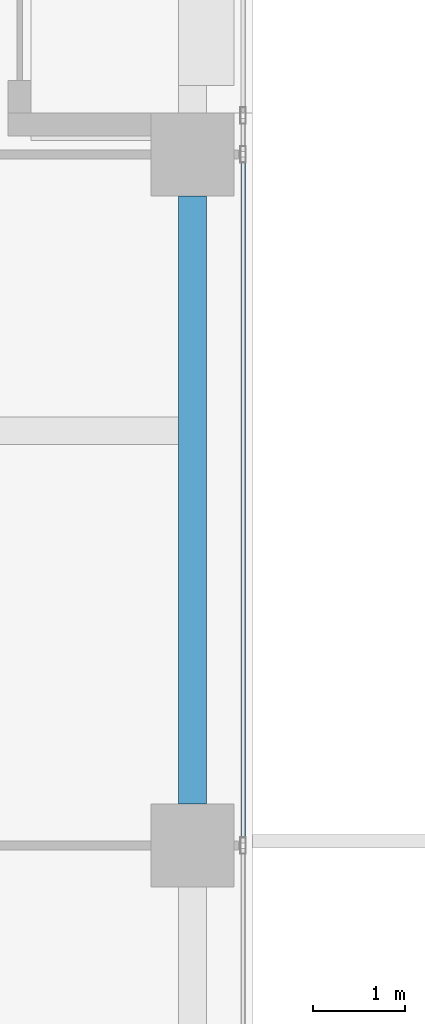
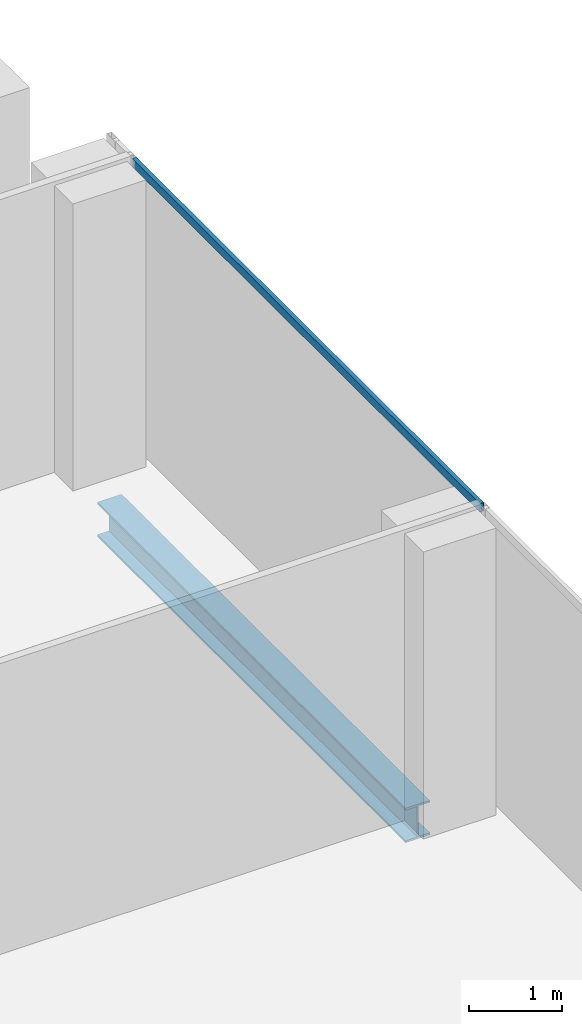
# One storey, part 13 of 35: 1 beam, 1 member, 1 element without a shape of its own.
"""IFC4 building model written with IfcOpenShell, lengths in metres."""

from ifc_helpers import new_model, si_unit, direction, frame, origin, origin_2d, place, context, subcontext, project, spatial, hollow_rectangle, i_section, extrude, source, transform, mapped, material, material_profile, profile_set, type_object, element, aggregate, save


model = new_model("IFC4")

# Units and contexts
model_context = context("Model", 3, precision=1e-05, world=origin(), true_north=direction((0.0, 1.0)))
body_context = subcontext(model_context, "Body", "Model", "MODEL_VIEW")
ifc_project = project(units=[si_unit("LENGTHUNIT", "METRE"), si_unit("AREAUNIT", "SQUARE_METRE"), si_unit("VOLUMEUNIT", "CUBIC_METRE"), si_unit("PLANEANGLEUNIT", "RADIAN"), si_unit("MASSUNIT", "GRAM", prefix="KILO")], contexts=[model_context])

# Site, building, storey
site_placement = place(None, origin())
site = spatial("IfcSite", under=ifc_project, at=site_placement, CompositionType="ELEMENT")
building_placement = place(site_placement, origin())
building = spatial("IfcBuilding", under=site, at=building_placement, Name="Khomas Fold Tower", CompositionType="ELEMENT")
storey_placement = place(building_placement, frame((0.0, 0.0, 250.199951171875)))
storey = spatial("IfcBuildingStorey", under=building, at=storey_placement, Name="L56", CompositionType="ELEMENT", Elevation=250.199951171875)

# Beam
ifc_material_1 = material(Name="Steel S355", Category="steel")
ifc_material_profile_1 = material_profile(ifc_material_1, i_section(OverallWidth=0.300048828125, OverallDepth=0.449951171875, WebThickness=0.013916015625, FlangeThickness=0.02587890625, at=origin_2d()), Name="HE 450 B")
ifc_profile_set_1 = profile_set([ifc_material_profile_1], Name="Steel S355")
beam_type = type_object("IfcBeamType", Name="HE 450 B spandrel SB4", PredefinedType="SPANDREL", material=ifc_profile_set_1)
shared_shape_1 = source(origin(), body_context, "Body", "SweptSolid", [
    extrude(i_section(OverallWidth=0.300048828125, OverallDepth=0.449951171875, WebThickness=0.013916015625, FlangeThickness=0.02587890625, at=origin_2d()), origin(), (0.0, 0.0, 1.0), 6.60009765625),
])
beam_placement = place(storey_placement, frame((48.85009765625, 27.449951171875, -0.474853515625), z_axis=(0.0, 1.0, 0.0), x_axis=(-1.0, 0.0, 0.0)))
element("IfcBeam", 1, at=beam_placement, inside=storey, type_object=beam_type, Name="SB4", PredefinedType="SPANDREL", context=body_context, shape_type="MappedRepresentation", body=[
    mapped(shared_shape_1, transform((0.0, 0.0, 0.0))),
])

# Curtain wall, member
ifc_material_2 = material(Name="Aluminium framed double glazing", Category="aluminium")
curtain_wall_type = type_object("IfcCurtainWallType", Name="SK-Unitised clear-glass wall, office floors CW2", PredefinedType="NOTDEFINED", material=ifc_material_2)
curtain_wall_placement = place(storey_placement, origin())
curtain_wall = element("IfcCurtainWall", 2, at=curtain_wall_placement, inside=storey, type_object=curtain_wall_type, Name="CW2 run L56 03-0", PredefinedType="NOTDEFINED")
ifc_material_3 = material(Name="Aluminium", Category="aluminium")
ifc_material_profile_2 = material_profile(ifc_material_3, hollow_rectangle(XDim=0.050048828125, YDim=0.110107421875, WallThickness=0.00390625, at=origin_2d()), Name="SK-Unitised clear-glass wall, office floors transom CW2-T")
ifc_profile_set_2 = profile_set([ifc_material_profile_2], Name="Aluminium")
member_type = type_object("IfcMemberType", Name="SK-Unitised clear-glass wall, office floors transom CW2-T", PredefinedType="USERDEFINED", material=ifc_profile_set_2)
shared_shape_2 = source(origin(), body_context, "Body", "SweptSolid", [
    extrude(hollow_rectangle(XDim=0.050048828125, YDim=0.110107421875, WallThickness=0.00390625, at=origin_2d()), origin(), (0.0, 0.0, 1.0), 7.43994140625),
])
member_placement = place(storey_placement, frame((49.39990234375, 27.030029296875, 3.695068359375), z_axis=(0.0, 1.0, 0.0), x_axis=(-1.0, 0.0, 0.0)))
member = element("IfcMember", 3, at=member_placement, type_object=member_type, Name="CW2 transom 4", ObjectType="TRANSOM", PredefinedType="USERDEFINED", context=body_context, shape_type="MappedRepresentation", body=[
    mapped(shared_shape_2, transform((0.0, 0.0, 0.0))),
])
aggregate(curtain_wall, [member])

save(model, "model.ifc")
